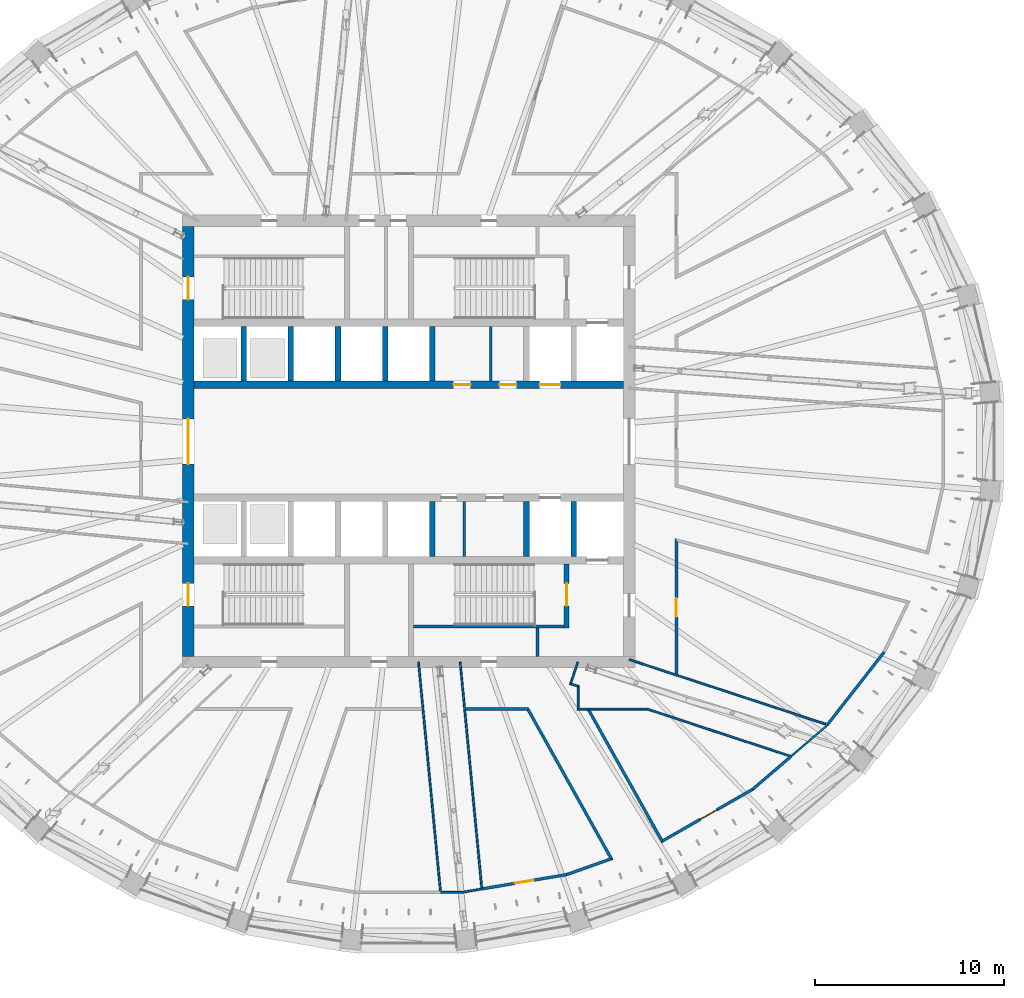
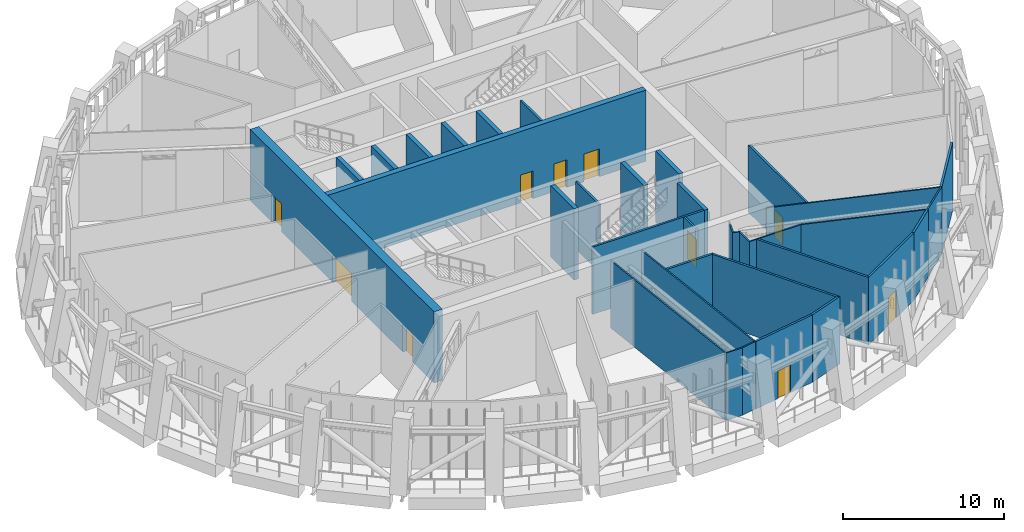
# One storey, part 8 of 20: 36 walls, 10 doors, 10 openings.
"""IFC4 building model written with IfcOpenShell, lengths in metres."""

from ifc_helpers import new_model, si_unit, direction, frame, frame_2d, origin, place, context, subcontext, project, spatial, polyline, rectangle, outline, extrude, material, layer, layer_set, type_object, element, fill, save


model = new_model("IFC4")

# Units and contexts
model_context = context("Model", 3, precision=1e-05, world=origin(), true_north=direction((0.0, 1.0)))
body_context = subcontext(model_context, "Body", "Model", "MODEL_VIEW")
ifc_project = project(units=[si_unit("LENGTHUNIT", "METRE"), si_unit("AREAUNIT", "SQUARE_METRE"), si_unit("VOLUMEUNIT", "CUBIC_METRE"), si_unit("PLANEANGLEUNIT", "RADIAN"), si_unit("MASSUNIT", "GRAM", prefix="KILO")], contexts=[model_context])

# Site, building, storey
site_placement = place(None, origin())
site = spatial("IfcSite", under=ifc_project, at=site_placement, CompositionType="ELEMENT")
building_placement = place(site_placement, origin())
building = spatial("IfcBuilding", under=site, at=building_placement, Name="Halqa Exchange Tower", CompositionType="ELEMENT")
storey_placement = place(building_placement, frame((0.0, 0.0, 250.89990234375)))
storey = spatial("IfcBuildingStorey", under=building, at=storey_placement, Name="L58", CompositionType="ELEMENT", Elevation=250.89990234375)

# Wall, opening, door
ifc_material_1 = material(Name="Fire-rated gypsum board")
ifc_layer_1 = layer(ifc_material_1, 0.14990234375)
ifc_layer_set_1 = layer_set([ifc_layer_1], Name="Fire-rated gypsum board")
wall_type_1 = type_object("IfcWallType", Name="Fire partition EI 60 150", PredefinedType="PARTITIONING", material=ifc_layer_set_1)
wall_1_placement = place(storey_placement, frame((3.8798828125, -23.739990234375, 0.0), z_axis=(0.0, 0.0, 1.0), x_axis=(0.986040852246, 0.166503566632, 0.0)))
wall_1 = element("IfcWall", 1, at=wall_1_placement, inside=storey, type_object=wall_type_1, Name="L58-PWL-056", PredefinedType="PARTITIONING", context=body_context, shape_type="SweptSolid", body=[
    extrude(outline(polyline([(4.5703125, -0.074951171875), (4.5703125, -0.074462890625), (4.557373046875, 0.074951171875), (3.038330078125, 0.074951171875), (1.51904296875, 0.074951171875), (0.0, 0.074951171875), (0.0, -0.074951171875), (1.5234375, -0.074951171875), (3.046875, -0.074951171875), (4.5703125, -0.074951171875)])), origin(), (0.0, 0.0, 1.0), 5.10009765625),
])
opening_1_placement = place(wall_1_placement, frame((1.781982421875, 0.0, 0.0)))
opening_1 = element("IfcOpeningElement", 2, at=opening_1_placement, cuts=wall_1, Name="Opening L58-05", PredefinedType="OPENING", context=body_context, shape_type="SweptSolid", body=[
    extrude(rectangle(XDim=1.0, YDim=2.10009765625, at=frame_2d((0.5, 1.050048828125))), frame((0.0, 0.0869140625, 0.0), z_axis=(0.0, -1.0, 0.0), x_axis=(1.0, 0.0, 0.0)), (0.0, 0.0, 1.0), 0.173828125),
])
ifc_material_2 = material(Name="Steel fire door leaf", Category="steel")
door_type_1 = type_object("IfcDoorType", Name="Fire door FD30S 1000 x 2100", OperationType="SINGLE_SWING_LEFT", PredefinedType="DOOR", material=ifc_material_2)
door_1_placement = place(opening_1_placement, origin())
door_1 = element("IfcDoor", 3, at=door_1_placement, inside=storey, type_object=door_type_1, Name="L58-IDR-005", OperationType="SINGLE_SWING_RIGHT", OverallHeight=2.10009765625, OverallWidth=1.0, PredefinedType="DOOR", context=body_context, shape_type="SweptSolid", body=[
    extrude(rectangle(XDim=1.0, YDim=2.10009765625, at=frame_2d((0.5, 1.050048828125))), frame((0.0, 0.02490234375, 0.0), z_axis=(0.0, -1.0, 0.0), x_axis=(1.0, 0.0, 0.0)), (0.0, 0.0, 1.0), 0.050048828125),
])
fill(opening_1, door_1)

# Walls
wall_2_placement = place(storey_placement, frame((6.364013671875, -14.199951171875, 0.0), z_axis=(0.0, 0.0, 1.0), x_axis=(-1.0, 0.0, 0.0)))
element("IfcWall", 4, at=wall_2_placement, inside=storey, type_object=wall_type_1, Name="L58-PWL-059", PredefinedType="PARTITIONING", context=body_context, shape_type="SweptSolid", body=[
    extrude(outline(polyline([(3.35205078125, -0.074951171875), (3.35205078125, -0.073974609375), (3.337890625, 0.074951171875), (1.712890625, 0.074951171875), (0.087890625, 0.074951171875), (0.0439453125, 0.0), (0.0, -0.074951171875), (1.676025390625, -0.074951171875), (3.35205078125, -0.074951171875)])), origin(), (0.0, 0.0, 1.0), 5.10009765625),
])
wall_3_placement = place(storey_placement, frame((6.298583984375, -14.16162109375, 0.0), z_axis=(0.0, 0.0, 1.0), x_axis=(0.487226307056, -0.873275744374, 0.0)))
element("IfcWall", 5, at=wall_3_placement, inside=storey, type_object=wall_type_1, Name="L58-PWL-060", PredefinedType="PARTITIONING", context=body_context, shape_type="SweptSolid", body=[
    extrude(outline(polyline([(0.087890625, -0.074951171875), (1.8798828125, -0.074951171875), (3.671630859375, -0.074951171875), (5.463623046875, -0.074951171875), (7.25537109375, -0.074951171875), (9.04736328125, -0.074951171875), (9.224853515625, 0.074951171875), (9.224853515625, 0.074951171875), (7.3798828125, 0.074951171875), (5.534912109375, 0.074951171875), (3.68994140625, 0.074951171875), (1.844970703125, 0.074951171875), (0.0, 0.074951171875), (0.0, 0.074951171875), (0.087890625, -0.074951171875)])), origin(), (0.0, 0.0, 1.0), 5.10009765625),
])
wall_4_placement = place(storey_placement, frame((8.373779296875, -22.982177734375, 0.0), z_axis=(0.0, 0.0, 1.0), x_axis=(0.942556062192, 0.334048004971, 0.0)))
element("IfcWall", 6, at=wall_4_placement, inside=storey, type_object=wall_type_1, Name="L58-PWL-064", PredefinedType="PARTITIONING", context=body_context, shape_type="SweptSolid", body=[
    extrude(outline(polyline([(0.0, -0.074951171875), (1.304931640625, -0.074951171875), (2.60986328125, -0.074951171875), (2.432373046875, 0.074951171875), (0.01318359375, 0.074951171875), (0.0, -0.074951171875)])), origin(), (0.0, 0.0, 1.0), 5.10009765625),
])
wall_5_placement = place(storey_placement, frame((9.527587890625, -14.21337890625, 0.0), z_axis=(0.0, 0.0, 1.0), x_axis=(0.488729226687, -0.872435523682, 0.0)))
element("IfcWall", 7, at=wall_5_placement, inside=storey, type_object=wall_type_1, Name="L58-PWL-069", PredefinedType="PARTITIONING", context=body_context, shape_type="SweptSolid", body=[
    extrude(outline(polyline([(0.0, -0.074951171875), (1.618408203125, -0.074951171875), (3.23681640625, -0.074951171875), (4.85498046875, -0.074951171875), (6.473388671875, -0.074951171875), (8.091796875, -0.074951171875), (8.02783203125, -0.01171875), (7.9404296875, 0.074951171875), (5.976318359375, 0.074951171875), (4.01220703125, 0.074951171875), (2.048095703125, 0.074951171875), (0.083984375, 0.074951171875), (0.033203125, -0.015869140625), (0.0, -0.074951171875), (0.0, -0.074951171875)])), origin(), (0.0, 0.0, 1.0), 5.10009765625),
])

# Wall, opening, door
wall_6_placement = place(storey_placement, frame((13.37939453125, -21.244873046875, 0.0), z_axis=(0.0, 0.0, 1.0), x_axis=(0.867677390778, 0.497127695399, 0.0)))
wall_6 = element("IfcWall", 8, at=wall_6_placement, inside=storey, type_object=wall_type_1, Name="L58-PWL-077", PredefinedType="PARTITIONING", context=body_context, shape_type="SweptSolid", body=[
    extrude(outline(polyline([(5.60888671875, -0.074951171875), (5.60888671875, -0.073974609375), (5.5947265625, 0.074951171875), (3.7802734375, 0.074951171875), (1.966064453125, 0.074951171875), (0.151611328125, 0.074951171875), (0.000244140625, -0.074951171875), (1.869873046875, -0.074951171875), (3.7392578125, -0.074951171875), (5.60888671875, -0.074951171875)])), origin(), (0.0, 0.0, 1.0), 5.10009765625),
])
opening_2_placement = place(wall_6_placement, frame((2.41650390625, 0.0, 0.0)))
opening_2 = element("IfcOpeningElement", 9, at=opening_2_placement, cuts=wall_6, Name="Opening L58-06", PredefinedType="OPENING", context=body_context, shape_type="SweptSolid", body=[
    extrude(rectangle(XDim=1.0, YDim=2.10009765625, at=frame_2d((0.5, 1.050048828125))), frame((0.0, 0.0869140625, 0.0), z_axis=(0.0, -1.0, 0.0), x_axis=(1.0, 0.0, 0.0)), (0.0, 0.0, 1.0), 0.173828125),
])
door_2_placement = place(opening_2_placement, origin())
door_2 = element("IfcDoor", 10, at=door_2_placement, inside=storey, type_object=door_type_1, Name="L58-IDR-006", OperationType="SINGLE_SWING_RIGHT", OverallHeight=2.10009765625, OverallWidth=1.0, PredefinedType="DOOR", context=body_context, shape_type="SweptSolid", body=[
    extrude(rectangle(XDim=1.0, YDim=2.10009765625, at=frame_2d((0.5, 1.050048828125))), frame((0.0, 0.02490234375, 0.0), z_axis=(0.0, -1.0, 0.0), x_axis=(1.0, 0.0, 0.0)), (0.0, 0.0, 1.0), 0.050048828125),
])
fill(opening_2, door_2)

wall_7_placement = place(storey_placement, frame((14.199951171875, -5.142333984375, 0.0), z_axis=(0.0, 0.0, 1.0), x_axis=(0.0, -1.0, 0.0)))
wall_7 = element("IfcWall", 11, at=wall_7_placement, inside=storey, type_object=wall_type_1, Name="L58-PWL-079", PredefinedType="PARTITIONING", context=body_context, shape_type="SweptSolid", body=[
    extrude(outline(polyline([(0.0, -0.074951171875), (1.793212890625, -0.074951171875), (3.586669921875, -0.074951171875), (5.3798828125, -0.074951171875), (7.17333984375, -0.074951171875), (7.22265625, 0.07470703125), (7.22265625, 0.074951171875), (5.4658203125, 0.074951171875), (3.708984375, 0.074951171875), (1.9521484375, 0.074951171875), (0.1953125, 0.074951171875), (0.09765625, 0.0), (0.0, -0.074951171875), (0.0, -0.074951171875)])), origin(), (0.0, 0.0, 1.0), 5.10009765625),
])
opening_3_placement = place(wall_7_placement, frame((3.172607421875, 0.0, 0.0)))
opening_3 = element("IfcOpeningElement", 12, at=opening_3_placement, cuts=wall_7, Name="Opening L58-07", PredefinedType="OPENING", context=body_context, shape_type="SweptSolid", body=[
    extrude(rectangle(XDim=1.0, YDim=2.10009765625, at=frame_2d((0.5, 1.050048828125))), frame((0.0, 0.0869140625, 0.0), z_axis=(0.0, -1.0, 0.0), x_axis=(1.0, 0.0, 0.0)), (0.0, 0.0, 1.0), 0.173828125),
])
door_3_placement = place(opening_3_placement, origin())
door_3 = element("IfcDoor", 13, at=door_3_placement, inside=storey, type_object=door_type_1, Name="L58-IDR-007", OperationType="SINGLE_SWING_LEFT", OverallHeight=2.10009765625, OverallWidth=1.0, PredefinedType="DOOR", context=body_context, shape_type="SweptSolid", body=[
    extrude(rectangle(XDim=1.0, YDim=2.10009765625, at=frame_2d((0.5, 1.050048828125))), frame((0.0, 0.02490234375, 0.0), z_axis=(0.0, -1.0, 0.0), x_axis=(1.0, 0.0, 0.0)), (0.0, 0.0, 1.0), 0.050048828125),
])
fill(opening_3, door_3)

# Walls
wall_8_placement = place(storey_placement, frame((18.234619140625, -18.464599609375, 0.0), z_axis=(0.0, 0.0, 1.0), x_axis=(0.758994351807, 0.651097207739, 0.0)))
element("IfcWall", 14, at=wall_8_placement, inside=storey, type_object=wall_type_1, Name="L58-PWL-087", PredefinedType="PARTITIONING", context=body_context, shape_type="SweptSolid", body=[
    extrude(outline(polyline([(2.69482421875, 0.074951171875), (1.3544921875, 0.074951171875), (0.01416015625, 0.074951171875), (0.0, -0.07470703125), (0.0, -0.074951171875), (1.347412109375, -0.074951171875), (2.69482421875, -0.074951171875), (2.69482421875, 0.074951171875)])), origin(), (0.0, 0.0, 1.0), 5.10009765625),
])
wall_9_placement = place(storey_placement, frame((22.21142578125, -15.028076171875, 0.0), z_axis=(0.0, 0.0, 1.0), x_axis=(0.61594223666, 0.787791318243, 0.0)))
element("IfcWall", 15, at=wall_9_placement, inside=storey, type_object=wall_type_1, Name="L58-PWL-092", PredefinedType="PARTITIONING", context=body_context, shape_type="SweptSolid", body=[
    extrude(outline(polyline([(0.0, -0.074951171875), (1.630859375, -0.074951171875), (3.26171875, -0.074951171875), (4.892578125, -0.074951171875), (4.87646484375, 0.074951171875), (3.2509765625, 0.074951171875), (1.62548828125, 0.074951171875), (0.0, 0.074951171875), (0.0, -0.074951171875)])), origin(), (0.0, 0.0, 1.0), 5.10009765625),
])
ifc_material_3 = material(Name="Gypsum board")
ifc_layer_2 = layer(ifc_material_3, 0.10009765625)
ifc_layer_set_2 = layer_set([ifc_layer_2], Name="Gypsum board")
wall_type_2 = type_object("IfcWallType", Name="Partition 100 gypsum", PredefinedType="PARTITIONING", material=ifc_layer_set_2)
wall_10_placement = place(storey_placement, frame((0.52001953125, -11.699951171875, 0.0), z_axis=(0.0, 0.0, 1.0), x_axis=(0.095316823635, -0.995446986601, 0.0)))
element("IfcWall", 16, at=wall_10_placement, inside=storey, type_object=wall_type_2, Name="L58-PWL-049", PredefinedType="PARTITIONING", context=body_context, shape_type="SweptSolid", body=[
    extrude(outline(polyline([(0.0, -0.050048828125), (2.431396484375, -0.050048828125), (2.431396484375, -0.049560546875), (2.437255859375, -0.050048828125), (4.388916015625, -0.050048828125), (6.340576171875, -0.050048828125), (8.292236328125, -0.050048828125), (10.244140625, -0.050048828125), (12.19580078125, -0.050048828125), (12.201171875, 0.007080078125), (12.22607421875, 0.004638671875), (12.23046875, 0.049560546875), (12.23046875, 0.050048828125), (10.483154296875, 0.050048828125), (8.736083984375, 0.050048828125), (6.98876953125, 0.050048828125), (5.24169921875, 0.050048828125), (3.494384765625, 0.050048828125), (1.747314453125, 0.050048828125), (0.0, 0.050048828125), (0.0, -0.050048828125)])), origin(), (0.0, 0.0, 1.0), 5.10009765625),
])
wall_11_placement = place(storey_placement, frame((1.68994140625, -23.919921875, 0.0), z_axis=(0.0, 0.0, 1.0), x_axis=(1.0, 0.0, 0.0)))
element("IfcWall", 17, at=wall_11_placement, inside=storey, type_object=wall_type_2, Name="L58-PWL-051", PredefinedType="PARTITIONING", context=body_context, shape_type="SweptSolid", body=[
    extrude(outline(polyline([(1.144287109375, -0.050048828125), (1.144287109375, -0.0498046875), (1.1357421875, 0.050048828125), (0.0, 0.050048828125), (0.0, -0.050048828125), (1.144287109375, -0.050048828125)])), origin(), (0.0, 0.0, 1.0), 5.10009765625),
])
wall_12_placement = place(storey_placement, frame((2.72998046875, -11.699951171875, 0.0), z_axis=(0.0, 0.0, 1.0), x_axis=(0.095076842023, -0.995469936317, 0.0)))
element("IfcWall", 18, at=wall_12_placement, inside=storey, type_object=wall_type_2, Name="L58-PWL-053", PredefinedType="PARTITIONING", context=body_context, shape_type="SweptSolid", body=[
    extrude(outline(polyline([(12.04833984375, -0.050048828125), (12.04833984375, -0.048583984375), (12.044921875, -0.003662109375), (12.04833984375, -0.00341796875), (12.04833984375, -0.003173828125), (12.02001953125, -0.00537109375), (12.01611328125, 0.050048828125), (10.131103515625, 0.050048828125), (8.24609375, 0.050048828125), (6.361328125, 0.050048828125), (4.476318359375, 0.050048828125), (2.591552734375, 0.050048828125), (2.591552734375, 0.048828125), (2.578857421875, 0.050048828125), (1.28955078125, 0.050048828125), (0.0, 0.050048828125), (0.0, -0.050048828125), (1.72119140625, -0.050048828125), (3.4423828125, -0.050048828125), (5.16357421875, -0.050048828125), (6.884765625, -0.050048828125), (8.60595703125, -0.050048828125), (10.3271484375, -0.050048828125), (12.04833984375, -0.050048828125)])), origin(), (0.0, 0.0, 1.0), 5.10009765625),
])
wall_13_placement = place(storey_placement, frame((2.82568359375, -23.920654296875, 0.0), z_axis=(0.0, 0.0, 1.0), x_axis=(0.985630942271, 0.168913130449, 0.0)))
element("IfcWall", 19, at=wall_13_placement, inside=storey, type_object=wall_type_2, Name="L58-PWL-054", PredefinedType="PARTITIONING", context=body_context, shape_type="SweptSolid", body=[
    extrude(outline(polyline([(1.069580078125, 0.050048828125), (0.008544921875, 0.050048828125), (0.0, -0.050048828125), (1.069580078125, -0.050048828125), (1.069580078125, 0.050048828125)])), origin(), (0.0, 0.0, 1.0), 5.10009765625),
])
wall_14_placement = place(storey_placement, frame((8.542236328125, -12.844482421875, 0.0), z_axis=(0.0, 0.0, 1.0), x_axis=(0.951016373971, -0.30914051245, 0.0)))
element("IfcWall", 20, at=wall_14_placement, inside=storey, type_object=wall_type_2, Name="L58-PWL-065", PredefinedType="PARTITIONING", context=body_context, shape_type="SweptSolid", body=[
    extrude(outline(polyline([(0.0, -0.050048828125), (0.434326171875, -0.050048828125), (0.507080078125, 0.050048828125), (0.507080078125, 0.050048828125), (0.100341796875, 0.050048828125), (0.0, -0.050048828125)])), origin(), (0.0, 0.0, 1.0), 5.10009765625),
])
wall_15_placement = place(storey_placement, frame((8.969970703125, -11.699951171875, 0.0), z_axis=(0.0, 0.0, 1.0), x_axis=(-0.311209419885, -0.950341358131, 0.0)))
element("IfcWall", 21, at=wall_15_placement, inside=storey, type_object=wall_type_2, Name="L58-PWL-066", PredefinedType="PARTITIONING", context=body_context, shape_type="SweptSolid", body=[
    extrude(outline(polyline([(1.270751953125, -0.050048828125), (1.270751953125, -0.050048828125), (1.17041015625, 0.050048828125), (0.0, 0.050048828125), (0.0, -0.050048828125), (1.270751953125, -0.050048828125)])), origin(), (0.0, 0.0, 1.0), 5.10009765625),
])
wall_16_placement = place(storey_placement, frame((8.93994140625, -14.199951171875, 0.0), z_axis=(0.0, 0.0, 1.0), x_axis=(1.0, 0.0, 0.0)))
element("IfcWall", 22, at=wall_16_placement, inside=storey, type_object=wall_type_2, Name="L58-PWL-067", PredefinedType="PARTITIONING", context=body_context, shape_type="SweptSolid", body=[
    extrude(outline(polyline([(0.0, -0.050048828125), (0.590087890625, -0.050048828125), (0.590087890625, 0.050048828125), (0.590087890625, 0.050048828125), (0.590087890625, 0.050048828125), (0.10009765625, 0.050048828125), (0.0, -0.050048828125)])), origin(), (0.0, 0.0, 1.0), 5.10009765625),
])
wall_17_placement = place(storey_placement, frame((8.989990234375, -12.95361328125, 0.0), z_axis=(0.0, 0.0, 1.0), x_axis=(0.0, -1.0, 0.0)))
element("IfcWall", 23, at=wall_17_placement, inside=storey, type_object=wall_type_2, Name="L58-PWL-068", PredefinedType="PARTITIONING", context=body_context, shape_type="SweptSolid", body=[
    extrude(outline(polyline([(1.29638671875, -0.050048828125), (1.29638671875, -0.050048828125), (1.1962890625, 0.050048828125), (0.0, 0.050048828125), (0.07275390625, -0.050048828125), (1.29638671875, -0.050048828125)])), origin(), (0.0, 0.0, 1.0), 5.10009765625),
])
wall_18_placement = place(storey_placement, frame((9.530029296875, -14.199951171875, 0.0), z_axis=(0.0, 0.0, 1.0), x_axis=(1.0, 0.0, 0.0)))
element("IfcWall", 24, at=wall_18_placement, inside=storey, type_object=wall_type_2, Name="L58-PWL-070", PredefinedType="PARTITIONING", context=body_context, shape_type="SweptSolid", body=[
    extrude(outline(polyline([(0.0, -0.050048828125), (1.56103515625, -0.050048828125), (3.121826171875, -0.050048828125), (3.137939453125, 0.049560546875), (3.137939453125, 0.050048828125), (1.56884765625, 0.050048828125), (0.0, 0.050048828125), (0.0, -0.050048828125)])), origin(), (0.0, 0.0, 1.0), 5.10009765625),
])
wall_19_placement = place(storey_placement, frame((11.699951171875, -11.570068359375, 0.0), z_axis=(0.0, 0.0, 1.0), x_axis=(0.949849374499, -0.312707796135, 0.0)))
element("IfcWall", 25, at=wall_19_placement, inside=storey, type_object=wall_type_2, Name="L58-PWL-072", PredefinedType="PARTITIONING", context=body_context, shape_type="SweptSolid", body=[
    extrude(rectangle(XDim=10.972412109375, YDim=0.10009765625, at=frame_2d((5.486328125, 0.0))), origin(), (0.0, 0.0, 1.0), 5.10009765625),
])
wall_20_placement = place(storey_placement, frame((12.65234375, -14.197509765625, 0.0), z_axis=(0.0, 0.0, 1.0), x_axis=(0.949797020895, -0.31286677532, 0.0)))
element("IfcWall", 26, at=wall_20_placement, inside=storey, type_object=wall_type_2, Name="L58-PWL-075", PredefinedType="PARTITIONING", context=body_context, shape_type="SweptSolid", body=[
    extrude(outline(polyline([(0.01611328125, -0.050048828125), (1.990234375, -0.050048828125), (3.964599609375, -0.050048828125), (5.938720703125, -0.050048828125), (7.912841796875, -0.050048828125), (7.966552734375, 0.038818359375), (8.00244140625, 0.017333984375), (8.00244140625, 0.017333984375), (7.988037109375, 0.026123046875), (8.00244140625, 0.0498046875), (8.00244140625, 0.050048828125), (6.40185546875, 0.050048828125), (4.801513671875, 0.050048828125), (3.200927734375, 0.050048828125), (1.6005859375, 0.050048828125), (0.0, 0.050048828125), (0.008056640625, 0.0), (0.01611328125, -0.050048828125), (0.01611328125, -0.050048828125), (0.01611328125, -0.050048828125)])), origin(), (0.0, 0.0, 1.0), 5.10009765625),
])
wall_21_placement = place(storey_placement, frame((20.280029296875, -16.7099609375, 0.0), z_axis=(0.0, 0.0, 1.0), x_axis=(0.759557658446, 0.650439976859, 0.0)))
element("IfcWall", 27, at=wall_21_placement, inside=storey, type_object=wall_type_2, Name="L58-PWL-089", PredefinedType="PARTITIONING", context=body_context, shape_type="SweptSolid", body=[
    extrude(outline(polyline([(2.5751953125, -0.050048828125), (2.5751953125, -0.048583984375), (2.555419921875, 0.050048828125), (1.29150390625, 0.050048828125), (0.027587890625, 0.050048828125), (0.0, 0.033447265625), (0.0, -0.050048828125), (1.28759765625, -0.050048828125), (2.5751953125, -0.050048828125)])), origin(), (0.0, 0.0, 1.0), 5.10009765625),
])
ifc_layer_3 = layer(ifc_material_3, 0.14990234375)
ifc_layer_set_3 = layer_set([ifc_layer_3], Name="Gypsum board")
wall_type_3 = type_object("IfcWallType", Name="Penthouse riser wall 150 gypsum", PredefinedType="PARTITIONING", material=ifc_layer_set_3)
wall_22_placement = place(storey_placement, frame((6.824951171875, -11.39990234375, 0.0), z_axis=(0.0, 0.0, 1.0), x_axis=(0.0, 1.0, 0.0)))
element("IfcWall", 28, at=wall_22_placement, inside=storey, type_object=wall_type_3, Name="Firefighting lobby west wall S", PredefinedType="PARTITIONING", context=body_context, shape_type="SweptSolid", body=[
    extrude(rectangle(XDim=1.5, YDim=0.14990234375, at=frame_2d((0.75, 0.0))), origin(), (0.0, 0.0, 1.0), 5.10009765625),
])
for number, where, z_axis, x_axis, name in (
    (29, (4.35009765625, 3.199951171875, 0.0), (0.0, 0.0, 1.0), (0.0, 1.0, 0.0), "Freed bay partition NE4.350"),
    (30, (2.949951171875, -6.10009765625, 0.0), (0.0, 0.0, 1.0), (0.0, 1.0, 0.0), "Freed bay partition SE2.950"),
):
    element("IfcWall", number, at=place(storey_placement, frame(where, z_axis=z_axis, x_axis=x_axis)), inside=storey, type_object=wall_type_3, Name=name, PredefinedType="PARTITIONING", context=body_context, shape_type="SweptSolid", body=[
        extrude(rectangle(XDim=2.900146484375, YDim=0.14990234375, at=frame_2d((1.4501953125, 0.0))), origin(), (0.0, 0.0, 1.0), 5.10009765625),
    ])
ifc_material_4 = material(Name="Concrete C60/75", Category="concrete")
ifc_layer_4 = layer(ifc_material_4, 0.300048828125)
ifc_layer_set_4 = layer_set([ifc_layer_4], Name="Concrete C60/75")
wall_type_4 = type_object("IfcWallType", Name="RC core wall 300", PredefinedType="SHEAR", material=ifc_layer_set_4)
for number, where, z_axis, x_axis, name in (
    (31, (-8.75, 3.199951171875, 0.0), (0.0, 0.0, 1.0), (0.0, 1.0, 0.0), "Shaft divider N1"),
    (32, (-6.25, 3.199951171875, 0.0), (0.0, 0.0, 1.0), (0.0, 1.0, 0.0), "Shaft divider N2"),
    (33, (-3.75, 3.199951171875, 0.0), (0.0, 0.0, 1.0), (0.0, 1.0, 0.0), "Shaft divider N3"),
    (34, (-1.25, 3.199951171875, 0.0), (0.0, 0.0, 1.0), (0.0, 1.0, 0.0), "Shaft divider N4"),
    (35, (1.25, 3.199951171875, 0.0), (0.0, 0.0, 1.0), (0.0, 1.0, 0.0), "Shaft divider N5"),
    (36, (1.25, -6.10009765625, 0.0), (0.0, 0.0, 1.0), (0.0, 1.0, 0.0), "Shaft divider S5"),
    (37, (6.25, -6.10009765625, 0.0), (0.0, 0.0, 1.0), (0.0, 1.0, 0.0), "Shaft divider S7"),
    (38, (8.75, -6.10009765625, 0.0), (0.0, 0.0, 1.0), (0.0, 1.0, 0.0), "Shaft divider S8"),
):
    element("IfcWall", number, at=place(storey_placement, frame(where, z_axis=z_axis, x_axis=x_axis)), inside=storey, type_object=wall_type_4, Name=name, PredefinedType="SHEAR", context=body_context, shape_type="SweptSolid", body=[
        extrude(rectangle(XDim=2.900146484375, YDim=0.300048828125, at=frame_2d((1.4501953125, 0.0))), origin(), (0.0, 0.0, 1.0), 5.400146484375),
    ])

# Wall, openings, doors
ifc_material_5 = material(Name="Concrete C70/85", Category="concrete")
ifc_layer_5 = layer(ifc_material_5, 0.39990234375)
ifc_layer_set_5 = layer_set([ifc_layer_5], Name="Concrete C70/85")
wall_type_5 = type_object("IfcWallType", Name="RC core wall 400 C70/85", PredefinedType="SHEAR", material=ifc_layer_set_5)
wall_23_placement = place(storey_placement, frame((-11.39990234375, 3.0, 0.0), z_axis=(0.0, 0.0, 1.0), x_axis=(1.0, 0.0, 0.0)))
wall_23 = element("IfcWall", 39, at=wall_23_placement, inside=storey, type_object=wall_type_5, Name="Lift row front wall N", PredefinedType="SHEAR", context=body_context, shape_type="SweptSolid", body=[
    extrude(rectangle(XDim=22.7998046875, YDim=0.39990234375, at=frame_2d((11.39990234375, 0.0))), origin(), (0.0, 0.0, 1.0), 5.400146484375),
])
opening_4_placement = place(wall_23_placement, frame((18.35009765625, 0.0, 0.0)))
opening_4 = element("IfcOpeningElement", 40, at=opening_4_placement, cuts=wall_23, Name="Opening LD-SV1-L58", PredefinedType="OPENING", context=body_context, shape_type="SweptSolid", body=[
    extrude(rectangle(XDim=1.10009765625, YDim=2.10009765625, at=frame_2d((0.550048828125, 1.050048828125))), frame((0.0, 0.2119140625, 0.0), z_axis=(0.0, -1.0, 0.0), x_axis=(1.0, 0.0, 0.0)), (0.0, 0.0, 1.0), 0.423828125),
])
opening_5_placement = place(wall_23_placement, frame((13.78759765625, 0.0, 0.0)))
opening_5 = element("IfcOpeningElement", 41, at=opening_5_placement, cuts=wall_23, Name="Opening L58-C20", PredefinedType="OPENING", context=body_context, shape_type="SweptSolid", body=[
    extrude(rectangle(XDim=0.89990234375, YDim=2.10009765625, at=frame_2d((0.449951171875, 1.050048828125))), frame((0.0, 0.2119140625, 0.0), z_axis=(0.0, -1.0, 0.0), x_axis=(1.0, 0.0, 0.0)), (0.0, 0.0, 1.0), 0.423828125),
])
opening_6_placement = place(wall_23_placement, frame((16.21240234375, 0.0, 0.0)))
opening_6 = element("IfcOpeningElement", 42, at=opening_6_placement, cuts=wall_23, Name="Opening L58-C21", PredefinedType="OPENING", context=body_context, shape_type="SweptSolid", body=[
    extrude(rectangle(XDim=0.89990234375, YDim=2.10009765625, at=frame_2d((0.449951171875, 1.050048828125))), frame((0.0, 0.2119140625, 0.0), z_axis=(0.0, -1.0, 0.0), x_axis=(1.0, 0.0, 0.0)), (0.0, 0.0, 1.0), 0.423828125),
])
ifc_material_6 = material(Name="Timber fire door leaf", Category="wood")
door_type_2 = type_object("IfcDoorType", Name="Core room door FD30 900 x 2100", OperationType="SINGLE_SWING_LEFT", PredefinedType="DOOR", material=ifc_material_6)
door_4_placement = place(opening_5_placement, origin())
door_4 = element("IfcDoor", 43, at=door_4_placement, inside=storey, type_object=door_type_2, Name="Core room door", OperationType="SINGLE_SWING_LEFT", OverallHeight=2.10009765625, OverallWidth=0.89990234375, PredefinedType="DOOR", context=body_context, shape_type="SweptSolid", body=[
    extrude(rectangle(XDim=0.89990234375, YDim=2.10009765625, at=frame_2d((0.449951171875, 1.050048828125))), frame((0.0, 0.02490234375, 0.0), z_axis=(0.0, -1.0, 0.0), x_axis=(1.0, 0.0, 0.0)), (0.0, 0.0, 1.0), 0.050048828125),
])
fill(opening_5, door_4)
door_5_placement = place(opening_6_placement, origin())
door_5 = element("IfcDoor", 44, at=door_5_placement, inside=storey, type_object=door_type_2, Name="Core room door", OperationType="SINGLE_SWING_LEFT", OverallHeight=2.10009765625, OverallWidth=0.89990234375, PredefinedType="DOOR", context=body_context, shape_type="SweptSolid", body=[
    extrude(rectangle(XDim=0.89990234375, YDim=2.10009765625, at=frame_2d((0.449951171875, 1.050048828125))), frame((0.0, 0.02490234375, 0.0), z_axis=(0.0, -1.0, 0.0), x_axis=(1.0, 0.0, 0.0)), (0.0, 0.0, 1.0), 0.050048828125),
])
fill(opening_6, door_5)
ifc_material_7 = material(Name="Stainless steel", Category="steel")
door_type_3 = type_object("IfcDoorType", Name="Lift landing door 1100 x 2100", OperationType="SLIDING_TO_LEFT", PredefinedType="DOOR", material=ifc_material_7)
door_6_placement = place(opening_4_placement, origin())
door_6 = element("IfcDoor", 45, at=door_6_placement, inside=storey, type_object=door_type_3, Name="Lift landing door SV1", OperationType="SLIDING_TO_LEFT", OverallHeight=2.10009765625, OverallWidth=1.10009765625, PredefinedType="DOOR", context=body_context, shape_type="SweptSolid", body=[
    extrude(rectangle(XDim=1.10009765625, YDim=2.10009765625, at=frame_2d((0.550048828125, 1.050048828125))), frame((0.0, 0.02490234375, 0.0), z_axis=(0.0, -1.0, 0.0), x_axis=(1.0, 0.0, 0.0)), (0.0, 0.0, 1.0), 0.050048828125),
])
fill(opening_4, door_6)

ifc_layer_6 = layer(ifc_material_5, 0.60009765625)
ifc_layer_set_6 = layer_set([ifc_layer_6], Name="Concrete C70/85")
wall_type_6 = type_object("IfcWallType", Name="RC core wall 600 C70/85", PredefinedType="SHEAR", material=ifc_layer_set_6)
wall_24_placement = place(storey_placement, frame((-11.699951171875, -11.39990234375, 0.0), z_axis=(0.0, 0.0, 1.0), x_axis=(0.0, 1.0, 0.0)))
wall_24 = element("IfcWall", 46, at=wall_24_placement, inside=storey, type_object=wall_type_6, Name="Core wall west", PredefinedType="SHEAR", context=body_context, shape_type="SweptSolid", body=[
    extrude(rectangle(XDim=22.7998046875, YDim=0.60009765625, at=frame_2d((11.39990234375, 0.0))), origin(), (0.0, 0.0, 1.0), 5.400146484375),
])
opening_7_placement = place(wall_24_placement, frame((10.199951171875, 0.0, 0.0)))
opening_7 = element("IfcOpeningElement", 47, at=opening_7_placement, cuts=wall_24, Name="Opening L58-C05", PredefinedType="OPENING", context=body_context, shape_type="SweptSolid", body=[
    extrude(rectangle(XDim=2.39990234375, YDim=2.10009765625, at=frame_2d((1.199951171875, 1.050048828125))), frame((0.0, 0.31201171875, 0.0), z_axis=(0.0, -1.0, 0.0), x_axis=(1.0, 0.0, 0.0)), (0.0, 0.0, 1.0), 0.6240234375),
])
opening_8_placement = place(wall_24_placement, frame((18.925048828125, 0.0, 0.0)))
opening_8 = element("IfcOpeningElement", 48, at=opening_8_placement, cuts=wall_24, Name="Opening L58-C07", PredefinedType="OPENING", context=body_context, shape_type="SweptSolid", body=[
    extrude(rectangle(XDim=1.199951171875, YDim=2.10009765625, at=frame_2d((0.60009765625, 1.050048828125))), frame((0.0, 0.31201171875, 0.0), z_axis=(0.0, -1.0, 0.0), x_axis=(1.0, 0.0, 0.0)), (0.0, 0.0, 1.0), 0.6240234375),
])
opening_9_placement = place(wall_24_placement, frame((2.675048828125, 0.0, 0.0)))
opening_9 = element("IfcOpeningElement", 49, at=opening_9_placement, cuts=wall_24, Name="Opening L58-C09", PredefinedType="OPENING", context=body_context, shape_type="SweptSolid", body=[
    extrude(rectangle(XDim=1.199951171875, YDim=2.10009765625, at=frame_2d((0.60009765625, 1.050048828125))), frame((0.0, 0.31201171875, 0.0), z_axis=(0.0, -1.0, 0.0), x_axis=(1.0, 0.0, 0.0)), (0.0, 0.0, 1.0), 0.6240234375),
])
door_type_4 = type_object("IfcDoorType", Name="Lobby double door FD60 2400 x 2100", OperationType="DOUBLE_DOOR_SINGLE_SWING", PredefinedType="DOOR", material=ifc_material_2)
door_7_placement = place(opening_7_placement, origin())
door_7 = element("IfcDoor", 50, at=door_7_placement, inside=storey, type_object=door_type_4, Name="Lift lobby double door", OperationType="DOUBLE_DOOR_SINGLE_SWING", OverallHeight=2.10009765625, OverallWidth=2.39990234375, PredefinedType="DOOR", context=body_context, shape_type="SweptSolid", body=[
    extrude(rectangle(XDim=2.39990234375, YDim=2.10009765625, at=frame_2d((1.199951171875, 1.050048828125))), frame((0.0, 0.02490234375, 0.0), z_axis=(0.0, -1.0, 0.0), x_axis=(1.0, 0.0, 0.0)), (0.0, 0.0, 1.0), 0.050048828125),
])
fill(opening_7, door_7)
door_type_5 = type_object("IfcDoorType", Name="Stair door FD90 1200 x 2100", OperationType="SINGLE_SWING_LEFT", PredefinedType="DOOR", material=ifc_material_2)
door_8_placement = place(opening_8_placement, frame((1.199951171875, 0.0, 0.0), z_axis=(0.0, 0.0, 1.0), x_axis=(-1.0, 0.0, 0.0)))
door_8 = element("IfcDoor", 51, at=door_8_placement, inside=storey, type_object=door_type_5, Name="Stair door ST1", OperationType="SINGLE_SWING_LEFT", OverallHeight=2.10009765625, OverallWidth=1.199951171875, PredefinedType="DOOR", context=body_context, shape_type="SweptSolid", body=[
    extrude(rectangle(XDim=1.199951171875, YDim=2.10009765625, at=frame_2d((0.60009765625, 1.050048828125))), frame((0.0, 0.02490234375, 0.0), z_axis=(0.0, -1.0, 0.0), x_axis=(1.0, 0.0, 0.0)), (0.0, 0.0, 1.0), 0.050048828125),
])
fill(opening_8, door_8)
door_9_placement = place(opening_9_placement, frame((1.199951171875, 0.0, 0.0), z_axis=(0.0, 0.0, 1.0), x_axis=(-1.0, 0.0, 0.0)))
door_9 = element("IfcDoor", 52, at=door_9_placement, inside=storey, type_object=door_type_5, Name="Stair door ST3", OperationType="SINGLE_SWING_RIGHT", OverallHeight=2.10009765625, OverallWidth=1.199951171875, PredefinedType="DOOR", context=body_context, shape_type="SweptSolid", body=[
    extrude(rectangle(XDim=1.199951171875, YDim=2.10009765625, at=frame_2d((0.60009765625, 1.050048828125))), frame((0.0, 0.02490234375, 0.0), z_axis=(0.0, -1.0, 0.0), x_axis=(1.0, 0.0, 0.0)), (0.0, 0.0, 1.0), 0.050048828125),
])
fill(opening_9, door_9)

# Wall
ifc_material_8 = material(Name="Concrete C30/37", Category="concrete")
ifc_layer_7 = layer(ifc_material_8, 0.14990234375)
ifc_layer_set_7 = layer_set([ifc_layer_7], Name="Concrete C30/37")
wall_type_7 = type_object("IfcWallType", Name="RC stair wall 150 C30/37", PredefinedType="SHEAR", material=ifc_layer_set_7)
wall_25_placement = place(storey_placement, frame((0.25, -9.824951171875, 0.0), z_axis=(0.0, 0.0, 1.0), x_axis=(1.0, 0.0, 0.0)))
element("IfcWall", 53, at=wall_25_placement, inside=storey, type_object=wall_type_7, Name="Stair ST2 north wall S", PredefinedType="SHEAR", context=body_context, shape_type="SweptSolid", body=[
    extrude(rectangle(XDim=8.0, YDim=0.14990234375, at=frame_2d((4.0, 0.0))), origin(), (0.0, 0.0, 1.0), 5.10009765625),
])

# Wall, opening, door
ifc_layer_8 = layer(ifc_material_8, 0.25)
ifc_layer_set_8 = layer_set([ifc_layer_8], Name="Concrete C30/37")
wall_type_8 = type_object("IfcWallType", Name="RC stair wall 250 C30/37", PredefinedType="SHEAR", material=ifc_layer_set_8)
wall_26_placement = place(storey_placement, frame((8.375, -9.89990234375, 0.0), z_axis=(0.0, 0.0, 1.0), x_axis=(0.0, 1.0, 0.0)))
wall_26 = element("IfcWall", 54, at=wall_26_placement, inside=storey, type_object=wall_type_8, Name="Stair ST2 east wall S", PredefinedType="SHEAR", context=body_context, shape_type="SweptSolid", body=[
    extrude(rectangle(XDim=3.39990234375, YDim=0.25, at=frame_2d((1.699951171875, 0.0))), origin(), (0.0, 0.0, 1.0), 5.10009765625),
])
opening_10_placement = place(wall_26_placement, frame((1.175048828125, 0.0, 0.0)))
opening_10 = element("IfcOpeningElement", 55, at=opening_10_placement, cuts=wall_26, Name="Opening L58-C10", PredefinedType="OPENING", context=body_context, shape_type="SweptSolid", body=[
    extrude(rectangle(XDim=1.199951171875, YDim=2.10009765625, at=frame_2d((0.60009765625, 1.050048828125))), frame((0.0, 0.136962890625, 0.0), z_axis=(0.0, -1.0, 0.0), x_axis=(1.0, 0.0, 0.0)), (0.0, 0.0, 1.0), 0.27392578125),
])
door_10_placement = place(opening_10_placement, origin())
door_10 = element("IfcDoor", 56, at=door_10_placement, inside=storey, type_object=door_type_5, Name="Stair door ST4", OperationType="SINGLE_SWING_RIGHT", OverallHeight=2.10009765625, OverallWidth=1.199951171875, PredefinedType="DOOR", context=body_context, shape_type="SweptSolid", body=[
    extrude(rectangle(XDim=1.199951171875, YDim=2.10009765625, at=frame_2d((0.60009765625, 1.050048828125))), frame((0.0, 0.02490234375, 0.0), z_axis=(0.0, -1.0, 0.0), x_axis=(1.0, 0.0, 0.0)), (0.0, 0.0, 1.0), 0.050048828125),
])
fill(opening_10, door_10)

save(model, "model.ifc")
